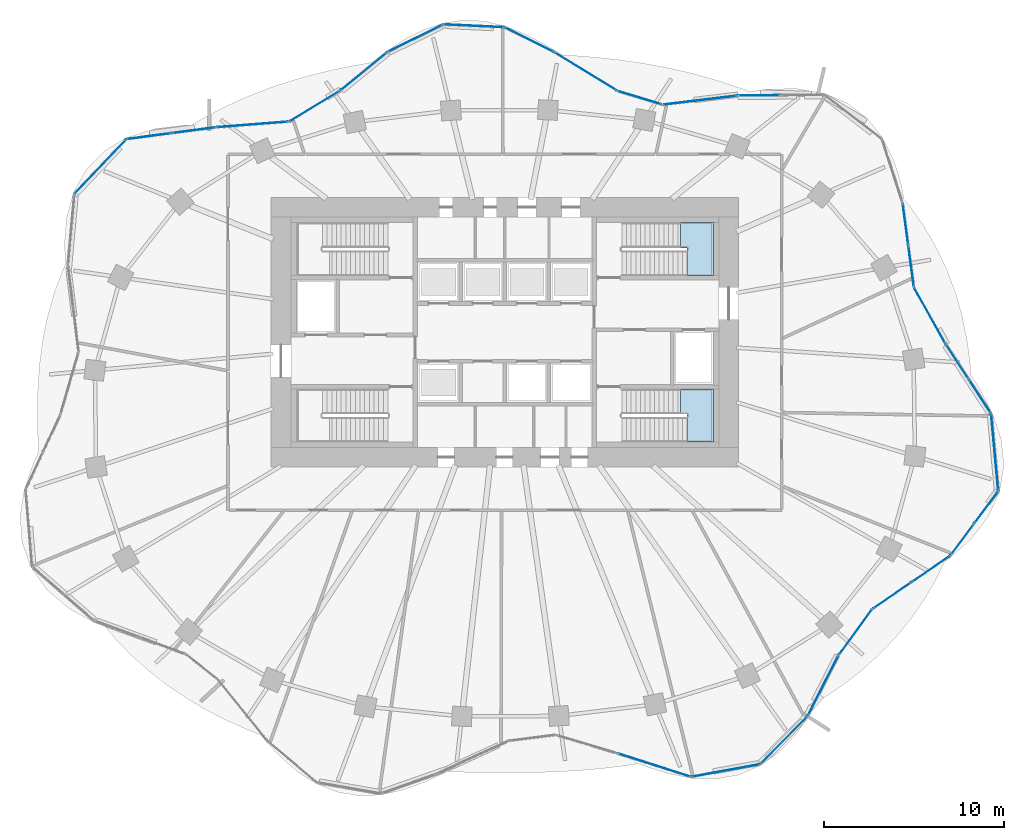
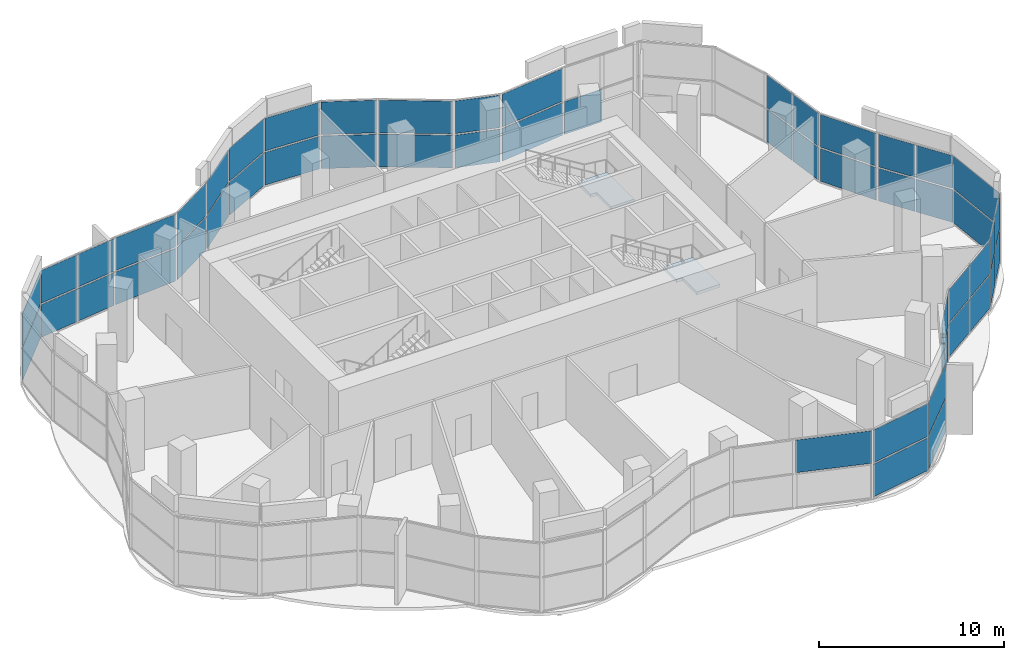
# One storey, part 10 of 16: 54 plates, 2 slabs, 25 elements without a shape of their own.
"""IFC4 building model written with IfcOpenShell, lengths in metres."""

import ifcopenshell
import ifcopenshell.guid

model = None  # the IFC model being written
_history = None  # IfcOwnerHistory: only IFC2X3 demands one
_inside = {}  # id of a spatial element -> (the spatial element, [elements in it])
_under = {}  # id of a project, library or spatial element -> (it, [spatial elements below it])
_declared = {}  # id of a project -> (the project, [libraries it declares])
_typed = {}  # id of a type object -> (the type object, [elements of that type])
_made_of = {}  # id of a material, layer set ... -> (it, [elements and type objects made of it])


def new_model(schema):
    """Start an empty IFC model of exactly this schema.

    Asked for "IFC4X3", IfcOpenShell would pick the latest addendum, in which some entities
    have other attributes; the version numbers below select the first issue.
    IFC2X3 requires an IfcOwnerHistory on every rooted entity: one is made here for all.
    """
    global model, _history
    if schema == "IFC4X3":
        model = ifcopenshell.file(schema_version=(4, 3, 0, 0))
    else:
        model = ifcopenshell.file(schema=schema)
    _inside.clear()
    _under.clear()
    _declared.clear()
    _typed.clear()
    _made_of.clear()
    _history = None
    if model.schema == "IFC2X3":
        org = make("IfcOrganization", Name="unknown")
        user = make(
            "IfcPersonAndOrganization",
            ThePerson=make("IfcPerson", FamilyName="unknown"),
            TheOrganization=org,
        )
        app = make(
            "IfcApplication",
            ApplicationDeveloper=org,
            Version="unknown",
            ApplicationFullName="unknown",
            ApplicationIdentifier="unknown",
        )
        _history = make(
            "IfcOwnerHistory",
            OwningUser=user,
            OwningApplication=app,
            ChangeAction="ADDED",
            CreationDate=0,
        )
    return model


def make(cls, **values):
    """One entity of the class cls with the attributes given. An attribute that is None is left unset."""
    return model.create_entity(
        cls, **{name: value for name, value in values.items() if value is not None}
    )


def rooted(cls, **values):
    """An entity with a GlobalId (a new one), such as an element, a storey or a relation."""
    return make(cls, GlobalId=ifcopenshell.guid.new(), OwnerHistory=_history, **values)


def si_unit(unit_type, name, prefix=None):
    """IfcSIUnit, for example si_unit("LENGTHUNIT", "METRE", prefix="MILLI")."""
    return make("IfcSIUnit", UnitType=unit_type, Prefix=prefix, Name=name)


def assignment(units):
    """IfcUnitAssignment: the units of a project."""
    return None if units is None else make("IfcUnitAssignment", Units=units)


def point(xyz):
    """IfcCartesianPoint."""
    return None if xyz is None else make("IfcCartesianPoint", Coordinates=xyz)


def direction(xyz):
    """IfcDirection."""
    return None if xyz is None else make("IfcDirection", DirectionRatios=xyz)


def frame(location, z_axis=None, x_axis=None):
    """IfcAxis2Placement3D, a coordinate frame: its origin and axes. An axis left out is left unset."""
    return make(
        "IfcAxis2Placement3D",
        Location=point(location),
        Axis=direction(z_axis),
        RefDirection=direction(x_axis),
    )


def frame_2d(location, x_axis=None):
    """IfcAxis2Placement2D, a coordinate frame in the plane: its origin and x axis."""
    return make(
        "IfcAxis2Placement2D", Location=point(location), RefDirection=direction(x_axis)
    )


def origin():
    """The frame at (0, 0, 0) with its axes left unset."""
    return frame((0.0, 0.0, 0.0))


def origin_2d():
    """The frame at (0, 0) in the plane with its x axis left unset."""
    return frame_2d((0.0, 0.0))


def place(relative_to, where):
    """IfcLocalPlacement: puts the frame where relative to a parent placement (None: the world)."""
    return make(
        "IfcLocalPlacement", PlacementRelTo=relative_to, RelativePlacement=where
    )


def context(
    kind, dimensions, precision=None, world=None, true_north=None, identifier=None
):
    """IfcGeometricRepresentationContext, for example the 3D "Model" context."""
    return make(
        "IfcGeometricRepresentationContext",
        ContextIdentifier=identifier,
        ContextType=kind,
        CoordinateSpaceDimension=dimensions,
        Precision=precision,
        WorldCoordinateSystem=world,
        TrueNorth=true_north,
    )


def subcontext(parent, identifier, kind, view, scale=None):
    """IfcGeometricRepresentationSubContext, for example "Body" below "Model"."""
    return make(
        "IfcGeometricRepresentationSubContext",
        ContextIdentifier=identifier,
        ContextType=kind,
        ParentContext=parent,
        TargetScale=scale,
        TargetView=view,
    )


def project(units=None, contexts=None):
    """IfcProject with its units and contexts."""
    return rooted(
        "IfcProject",
        Name="project",
        RepresentationContexts=contexts,
        UnitsInContext=assignment(units),
    )


def spatial(cls, under=None, at=None, **own):
    """A site, building, storey or space (cls), placed at a placement, below another one or the project."""
    s = rooted(cls, ObjectPlacement=at, **own)
    if under is not None:
        _under.setdefault(under.id(), (under, []))[1].append(s)
    return s


def polyline(points):
    """IfcPolyline through the points."""
    return make("IfcPolyline", Points=[point(p) for p in points])


def profile(cls, at=None, kind="AREA", **sizes):
    """A parametric profile (cls). Its sizes go by their IFC names, for example OverallWidth=200.0."""
    return make(cls, ProfileType=kind, Position=at, **sizes)


def rectangle(**sizes):
    """IfcRectangleProfileDef."""
    return profile("IfcRectangleProfileDef", **sizes)


def outline(outer, holes=None, kind="AREA"):
    """IfcArbitraryClosedProfileDef: a profile drawn as a closed curve; with holes, ...WithVoids."""
    if holes is None:
        return make("IfcArbitraryClosedProfileDef", ProfileType=kind, OuterCurve=outer)
    return make(
        "IfcArbitraryProfileDefWithVoids",
        ProfileType=kind,
        OuterCurve=outer,
        InnerCurves=holes,
    )


def extrude(swept, where, along, depth):
    """IfcExtrudedAreaSolid: the profile swept, set in the frame where, extruded along a direction by depth."""
    return make(
        "IfcExtrudedAreaSolid",
        SweptArea=swept,
        Position=where,
        ExtrudedDirection=direction(along),
        Depth=depth,
    )


def shape(context_of_items, identifier, shape_type, items):
    """IfcShapeRepresentation: the items that make up one representation, for example the "Body"."""
    return make(
        "IfcShapeRepresentation",
        ContextOfItems=context_of_items,
        RepresentationIdentifier=identifier,
        RepresentationType=shape_type,
        Items=items,
    )


def material(Name=None, Category=None):
    """IfcMaterial."""
    return make("IfcMaterial", Name=Name, Category=Category)


def layer(
    of_material, thickness, ventilated=None, Name=None, Category=None, Priority=None
):
    """IfcMaterialLayer: one layer of a wall or slab, of a material (None: an air gap)."""
    return make(
        "IfcMaterialLayer",
        Material=of_material,
        LayerThickness=thickness,
        IsVentilated=ventilated,
        Name=Name,
        Category=Category,
        Priority=Priority,
    )


def layer_set(layers, Name=None):
    """IfcMaterialLayerSet."""
    return make("IfcMaterialLayerSet", MaterialLayers=layers, LayerSetName=Name)


def made_of(thing, what):
    """Note that an element or type object is made of a material, layer set ...; save() writes the relation."""
    if what is not None:
        _made_of.setdefault(what.id(), (what, []))[1].append(thing)
    return thing


def type_object(cls, material=None, **own):
    """A type object (cls), such as IfcWallType, which elements share."""
    return made_of(rooted(cls, **own), material)


def element(
    cls,
    number,
    at=None,
    inside=None,
    cuts=None,
    type_object=None,
    material=None,
    context=None,
    identifier="Body",
    shape_type=None,
    held_by="IfcProductDefinitionShape",
    body=None,
    shapes=None,
    **own,
):
    """One element of the class cls, such as IfcWall. Its Tag is "e" and its number.

    at: its placement. inside: the storey or other place that contains it. cuts: it is an
    opening in that element (IfcRelVoidsElement). A single representation is given by context,
    identifier, shape_type and body (its items); several are given by shapes. held_by: the class
    of the entity that holds the representations. save() writes the other relations.
    """
    e = rooted(cls, Tag="e%d" % number, ObjectPlacement=at, **own)
    if body is not None:
        shapes = [shape(context, identifier, shape_type, body)]
    if shapes is not None:
        e.Representation = make(held_by, Representations=shapes)
    if inside is not None:
        _inside.setdefault(inside.id(), (inside, []))[1].append(e)
    if cuts is not None:
        rooted(
            "IfcRelVoidsElement", RelatingBuildingElement=cuts, RelatedOpeningElement=e
        )
    if type_object is not None:
        _typed.setdefault(type_object.id(), (type_object, []))[1].append(e)
    return made_of(e, material)


def aggregate(whole, parts):
    """IfcRelAggregates: a whole, such as a stair, and the parts it consists of."""
    return rooted("IfcRelAggregates", RelatingObject=whole, RelatedObjects=parts)


def save(model, path):
    """Write the relations noted so far, then the file.

    IfcRelAggregates (storeys below a building ...), IfcRelContainedInSpatialStructure (elements
    in a storey), IfcRelDefinesByType, IfcRelAssociatesMaterial and IfcRelDeclares: one each for
    every whole, place, type object, material and project.
    """
    for whole, parts in _under.values():
        aggregate(whole, parts)
    for where, things in _inside.values():
        rooted(
            "IfcRelContainedInSpatialStructure",
            RelatedElements=things,
            RelatingStructure=where,
        )
    for kind, things in _typed.values():
        rooted("IfcRelDefinesByType", RelatedObjects=things, RelatingType=kind)
    for what, things in _made_of.values():
        rooted("IfcRelAssociatesMaterial", RelatedObjects=things, RelatingMaterial=what)
    for by, libraries in _declared.values():
        rooted("IfcRelDeclares", RelatingContext=by, RelatedDefinitions=libraries)
    model.write(path)


model = new_model("IFC4")

# Units and contexts
model_context = context("Model", 3, precision=1e-05, world=origin(), true_north=direction((0.0, 1.0)))
body_context = subcontext(model_context, "Body", "Model", "MODEL_VIEW")
ifc_project = project(units=[si_unit("LENGTHUNIT", "METRE"), si_unit("AREAUNIT", "SQUARE_METRE"), si_unit("VOLUMEUNIT", "CUBIC_METRE"), si_unit("PLANEANGLEUNIT", "RADIAN"), si_unit("MASSUNIT", "GRAM", prefix="KILO")], contexts=[model_context])

# Site, building, storey
site_placement = place(None, origin())
site = spatial("IfcSite", under=ifc_project, at=site_placement, CompositionType="ELEMENT")
building_placement = place(site_placement, origin())
building = spatial("IfcBuilding", under=site, at=building_placement, Name="Rubra Terraces Tower", CompositionType="ELEMENT")
storey_placement = place(building_placement, frame((0.0, 0.0, 125.699951171875)))
storey = spatial("IfcBuildingStorey", under=building, at=storey_placement, Name="L30", CompositionType="ELEMENT", Elevation=125.699951171875)

# Stair, slab
ifc_material_1 = material(Name="Concrete C40", Category="concrete")
stair_type = type_object("IfcStairType", Name="Core stair 1400", PredefinedType="HALF_TURN_STAIR", material=ifc_material_1)
stair_1_placement = place(storey_placement, origin())
stair_1 = element("IfcStair", 1, at=stair_1_placement, inside=storey, type_object=stair_type, Name="L30 Exit stair S3", PredefinedType="HALF_TURN_STAIR")
ifc_layer_1 = layer(ifc_material_1, 0.199951171875)
ifc_layer_set_1 = layer_set([ifc_layer_1], Name="Concrete C40")
slab_type = type_object("IfcSlabType", Name="Core stair landing 200", PredefinedType="LANDING", material=ifc_layer_set_1)
slab_1_placement = place(storey_placement, frame((0.0, 0.0, 2.199951171875)))
slab_1 = element("IfcSlab", 2, at=slab_1_placement, type_object=slab_type, Name="S3 landing 1", PredefinedType="LANDING", context=body_context, shape_type="SweptSolid", body=[
    extrude(outline(polyline([(10.139892578125, 9.050048828125), (10.139892578125, 9.199951171875), (9.760009765625, 9.199951171875), (9.760009765625, 10.60009765625), (10.139892578125, 10.60009765625), (10.159912109375, 10.60009765625), (11.60009765625, 10.60009765625), (11.60009765625, 7.64990234375), (10.159912109375, 7.64990234375), (10.137939453125, 7.64990234375), (10.137939453125, 9.050048828125), (10.139892578125, 9.050048828125)])), origin(), (0.0, 0.0, 1.0), 0.2001953125),
])
aggregate(stair_1, [slab_1])

stair_2_placement = place(storey_placement, origin())
stair_2 = element("IfcStair", 3, at=stair_2_placement, inside=storey, type_object=stair_type, Name="L30 Exit stair S4", PredefinedType="HALF_TURN_STAIR")
slab_2_placement = place(storey_placement, frame((0.0, 0.0, 2.199951171875)))
slab_2 = element("IfcSlab", 4, at=slab_2_placement, type_object=slab_type, Name="S4 landing 1", PredefinedType="LANDING", context=body_context, shape_type="SweptSolid", body=[
    extrude(outline(polyline([(10.139892578125, -0.199951171875), (10.139892578125, -0.050048828125), (9.760009765625, -0.050048828125), (9.760009765625, 1.35009765625), (10.139892578125, 1.35009765625), (10.159912109375, 1.35009765625), (11.60009765625, 1.35009765625), (11.60009765625, -1.60009765625), (10.159912109375, -1.60009765625), (10.139892578125, -1.60009765625), (10.137939453125, -1.60009765625), (10.137939453125, -0.199951171875), (10.139892578125, -0.199951171875)])), origin(), (0.0, 0.0, 1.0), 0.2001953125),
])
aggregate(stair_2, [slab_2])

# Curtain wall, plates
ifc_material_2 = material(Name="Aluminium and glass", Category="aluminium")
curtain_wall_type = type_object("IfcCurtainWallType", Name="Curtain wall Sky lobby glazing", PredefinedType="NOTDEFINED", material=ifc_material_2)
curtain_wall_1_placement = place(storey_placement, origin())
curtain_wall_1 = element("IfcCurtainWall", 5, at=curtain_wall_1_placement, inside=storey, type_object=curtain_wall_type, Name="L30 glazing bay 1", PredefinedType="NOTDEFINED")
ifc_material_3 = material(Name="Clear glass, laminated", Category="glass")
ifc_layer_2 = layer(ifc_material_3, 0.031982421875)
ifc_layer_set_2 = layer_set([ifc_layer_2], Name="Clear glass, laminated")
plate_type = type_object("IfcPlateType", Name="Sky lobby glazing glass panel 32", PredefinedType="CURTAIN_PANEL", material=ifc_layer_set_2)
plate_1_placement = place(storey_placement, frame((26.4140625, 0.938720703125, 0.10009765625), z_axis=(0.0, 0.0, 1.0), x_axis=(-0.547047377595, 0.837101646556, 0.0)))
plate_1 = element("IfcPlate", 6, at=plate_1_placement, type_object=plate_type, Name="CW2 panel 1.1", PredefinedType="CURTAIN_PANEL", context=body_context, shape_type="SweptSolid", body=[
    extrude(rectangle(XDim=2.2177734375, YDim=0.028076171875, at=origin_2d()), origin(), (0.0, 0.0, 1.0), 2.14990234375),
])
plate_2_placement = place(storey_placement, frame((26.4140625, 0.938720703125, 2.35009765625), z_axis=(0.0, 0.0, 1.0), x_axis=(-0.547047377595, 0.837101646556, 0.0)))
plate_2 = element("IfcPlate", 7, at=plate_2_placement, type_object=plate_type, Name="CW2 panel 1.2", PredefinedType="CURTAIN_PANEL", context=body_context, shape_type="SweptSolid", body=[
    extrude(rectangle(XDim=2.2177734375, YDim=0.028076171875, at=origin_2d()), origin(), (0.0, 0.0, 1.0), 2.14990234375),
])
plate_3_placement = place(storey_placement, frame((25.16796875, 2.845703125, 0.10009765625), z_axis=(0.0, 0.0, 1.0), x_axis=(-0.547047377595, 0.837101646556, 0.0)))
plate_3 = element("IfcPlate", 8, at=plate_3_placement, type_object=plate_type, Name="CW2 panel 2.1", PredefinedType="CURTAIN_PANEL", context=body_context, shape_type="SweptSolid", body=[
    extrude(rectangle(XDim=2.2177734375, YDim=0.028076171875, at=origin_2d()), origin(), (0.0, 0.0, 1.0), 2.14990234375),
])
plate_4_placement = place(storey_placement, frame((25.16796875, 2.845703125, 2.35009765625), z_axis=(0.0, 0.0, 1.0), x_axis=(-0.547047377595, 0.837101646556, 0.0)))
plate_4 = element("IfcPlate", 9, at=plate_4_placement, type_object=plate_type, Name="CW2 panel 2.2", PredefinedType="CURTAIN_PANEL", context=body_context, shape_type="SweptSolid", body=[
    extrude(rectangle(XDim=2.2177734375, YDim=0.028076171875, at=origin_2d()), origin(), (0.0, 0.0, 1.0), 2.14990234375),
])
aggregate(curtain_wall_1, [plate_1, plate_2, plate_3, plate_4])

curtain_wall_2_placement = place(storey_placement, origin())
curtain_wall_2 = element("IfcCurtainWall", 10, at=curtain_wall_2_placement, inside=storey, type_object=curtain_wall_type, Name="L30 glazing bay 2", PredefinedType="NOTDEFINED")
plate_5_placement = place(storey_placement, frame((23.64111328125, 5.40966796875, 0.10009765625), z_axis=(0.0, 0.0, 1.0), x_axis=(-0.488312509266, 0.87266883369, 0.0)))
plate_5 = element("IfcPlate", 11, at=plate_5_placement, type_object=plate_type, Name="CW2 panel 1.1", PredefinedType="CURTAIN_PANEL", context=body_context, shape_type="SweptSolid", body=[
    extrude(rectangle(XDim=3.502685546875, YDim=0.028076171875, at=origin_2d()), origin(), (0.0, 0.0, 1.0), 2.14990234375),
])
plate_6_placement = place(storey_placement, frame((23.64111328125, 5.40966796875, 2.35009765625), z_axis=(0.0, 0.0, 1.0), x_axis=(-0.488312509266, 0.87266883369, 0.0)))
plate_6 = element("IfcPlate", 12, at=plate_6_placement, type_object=plate_type, Name="CW2 panel 1.2", PredefinedType="CURTAIN_PANEL", context=body_context, shape_type="SweptSolid", body=[
    extrude(rectangle(XDim=3.502685546875, YDim=0.028076171875, at=origin_2d()), origin(), (0.0, 0.0, 1.0), 2.14990234375),
])
aggregate(curtain_wall_2, [plate_5, plate_6])

curtain_wall_3_placement = place(storey_placement, origin())
curtain_wall_3 = element("IfcCurtainWall", 13, at=curtain_wall_3_placement, inside=storey, type_object=curtain_wall_type, Name="L30 glazing bay 3", PredefinedType="NOTDEFINED")
plate_7_placement = place(storey_placement, frame((22.5908203125, 8.1943359375, 0.10009765625), z_axis=(0.0, 0.0, 1.0), x_axis=(-0.132608399218, 0.991168508608, 0.0)))
plate_7 = element("IfcPlate", 14, at=plate_7_placement, type_object=plate_type, Name="CW2 panel 1.1", PredefinedType="CURTAIN_PANEL", context=body_context, shape_type="SweptSolid", body=[
    extrude(rectangle(XDim=2.25927734375, YDim=0.028076171875, at=origin_2d()), origin(), (0.0, 0.0, 1.0), 2.14990234375),
])
plate_8_placement = place(storey_placement, frame((22.5908203125, 8.1943359375, 2.35009765625), z_axis=(0.0, 0.0, 1.0), x_axis=(-0.132608399218, 0.991168508608, 0.0)))
plate_8 = element("IfcPlate", 15, at=plate_8_placement, type_object=plate_type, Name="CW2 panel 1.2", PredefinedType="CURTAIN_PANEL", context=body_context, shape_type="SweptSolid", body=[
    extrude(rectangle(XDim=2.25927734375, YDim=0.028076171875, at=origin_2d()), origin(), (0.0, 0.0, 1.0), 2.14990234375),
])
plate_9_placement = place(storey_placement, frame((22.283203125, 10.493408203125, 0.10009765625), z_axis=(0.0, 0.0, 1.0), x_axis=(-0.132608399218, 0.991168508608, 0.0)))
plate_9 = element("IfcPlate", 16, at=plate_9_placement, type_object=plate_type, Name="CW2 panel 2.1", PredefinedType="CURTAIN_PANEL", context=body_context, shape_type="SweptSolid", body=[
    extrude(rectangle(XDim=2.25927734375, YDim=0.028076171875, at=origin_2d()), origin(), (0.0, 0.0, 1.0), 2.14990234375),
])
plate_10_placement = place(storey_placement, frame((22.283203125, 10.493408203125, 2.35009765625), z_axis=(0.0, 0.0, 1.0), x_axis=(-0.132608399218, 0.991168508608, 0.0)))
plate_10 = element("IfcPlate", 17, at=plate_10_placement, type_object=plate_type, Name="CW2 panel 2.2", PredefinedType="CURTAIN_PANEL", context=body_context, shape_type="SweptSolid", body=[
    extrude(rectangle(XDim=2.25927734375, YDim=0.028076171875, at=origin_2d()), origin(), (0.0, 0.0, 1.0), 2.14990234375),
])
aggregate(curtain_wall_3, [plate_7, plate_8, plate_9, plate_10])

# Curtain wall, plate
curtain_wall_4_placement = place(storey_placement, origin())
curtain_wall_4 = element("IfcCurtainWall", 18, at=curtain_wall_4_placement, inside=storey, type_object=curtain_wall_type, Name="L30 glazing bay 6", PredefinedType="NOTDEFINED")
plate_11_placement = place(storey_placement, frame((14.166259765625, 17.67578125, 0.10009765625), z_axis=(0.0, 0.0, 1.0), x_axis=(-0.99995015627, -0.0099842364, 0.0)))
plate_11 = element("IfcPlate", 19, at=plate_11_placement, type_object=plate_type, Name="CW2 panel 2.1", PredefinedType="CURTAIN_PANEL", context=body_context, shape_type="SweptSolid", body=[
    extrude(rectangle(XDim=2.333740234375, YDim=0.028076171875, at=origin_2d()), origin(), (0.0, 0.0, 1.0), 2.14990234375),
])
aggregate(curtain_wall_4, [plate_11])

# Curtain wall, plates
curtain_wall_5_placement = place(storey_placement, origin())
curtain_wall_5 = element("IfcCurtainWall", 20, at=curtain_wall_5_placement, inside=storey, type_object=curtain_wall_type, Name="L30 glazing bay 7", PredefinedType="NOTDEFINED")
plate_12_placement = place(storey_placement, frame((10.86962890625, 17.41064453125, 0.10009765625), z_axis=(0.0, 0.0, 1.0), x_axis=(-0.992649587199, -0.121023952312, 0.0)))
plate_12 = element("IfcPlate", 21, at=plate_12_placement, type_object=plate_type, Name="CW2 panel 1.1", PredefinedType="CURTAIN_PANEL", context=body_context, shape_type="SweptSolid", body=[
    extrude(rectangle(XDim=4.06689453125, YDim=0.028076171875, at=origin_2d()), origin(), (0.0, 0.0, 1.0), 2.14990234375),
])
plate_13_placement = place(storey_placement, frame((10.86962890625, 17.41064453125, 2.35009765625), z_axis=(0.0, 0.0, 1.0), x_axis=(-0.992649587199, -0.121023952312, 0.0)))
plate_13 = element("IfcPlate", 22, at=plate_13_placement, type_object=plate_type, Name="CW2 panel 1.2", PredefinedType="CURTAIN_PANEL", context=body_context, shape_type="SweptSolid", body=[
    extrude(rectangle(XDim=4.06689453125, YDim=0.028076171875, at=origin_2d()), origin(), (0.0, 0.0, 1.0), 2.14990234375),
])
aggregate(curtain_wall_5, [plate_12, plate_13])

curtain_wall_6_placement = place(storey_placement, origin())
curtain_wall_6 = element("IfcCurtainWall", 23, at=curtain_wall_6_placement, inside=storey, type_object=curtain_wall_type, Name="L30 glazing bay 8", PredefinedType="NOTDEFINED")
plate_14_placement = place(storey_placement, frame((7.517333984375, 17.5390625, 0.10009765625), z_axis=(0.0, 0.0, 1.0), x_axis=(-0.956654793713, 0.291224321899, 0.0)))
plate_14 = element("IfcPlate", 24, at=plate_14_placement, type_object=plate_type, Name="CW2 panel 1.1", PredefinedType="CURTAIN_PANEL", context=body_context, shape_type="SweptSolid", body=[
    extrude(rectangle(XDim=2.481689453125, YDim=0.028076171875, at=origin_2d()), origin(), (0.0, 0.0, 1.0), 2.14990234375),
])
plate_15_placement = place(storey_placement, frame((7.517333984375, 17.5390625, 2.35009765625), z_axis=(0.0, 0.0, 1.0), x_axis=(-0.956654793713, 0.291224321899, 0.0)))
plate_15 = element("IfcPlate", 25, at=plate_15_placement, type_object=plate_type, Name="CW2 panel 1.2", PredefinedType="CURTAIN_PANEL", context=body_context, shape_type="SweptSolid", body=[
    extrude(rectangle(XDim=2.481689453125, YDim=0.028076171875, at=origin_2d()), origin(), (0.0, 0.0, 1.0), 2.14990234375),
])
aggregate(curtain_wall_6, [plate_14, plate_15])

curtain_wall_7_placement = place(storey_placement, origin())
curtain_wall_7 = element("IfcCurtainWall", 26, at=curtain_wall_7_placement, inside=storey, type_object=curtain_wall_type, Name="L30 glazing bay 9", PredefinedType="NOTDEFINED")
plate_16_placement = place(storey_placement, frame((4.50146484375, 18.9990234375, 0.10009765625), z_axis=(0.0, 0.0, 1.0), x_axis=(-0.852926426225, 0.522031140305, 0.0)))
plate_16 = element("IfcPlate", 27, at=plate_16_placement, type_object=plate_type, Name="CW2 panel 1.1", PredefinedType="CURTAIN_PANEL", context=body_context, shape_type="SweptSolid", body=[
    extrude(rectangle(XDim=3.99267578125, YDim=0.028076171875, at=origin_2d()), origin(), (0.0, 0.0, 1.0), 2.14990234375),
])
plate_17_placement = place(storey_placement, frame((4.50146484375, 18.9990234375, 2.35009765625), z_axis=(0.0, 0.0, 1.0), x_axis=(-0.852926426225, 0.522031140305, 0.0)))
plate_17 = element("IfcPlate", 28, at=plate_17_placement, type_object=plate_type, Name="CW2 panel 1.2", PredefinedType="CURTAIN_PANEL", context=body_context, shape_type="SweptSolid", body=[
    extrude(rectangle(XDim=3.99267578125, YDim=0.028076171875, at=origin_2d()), origin(), (0.0, 0.0, 1.0), 2.14990234375),
])
aggregate(curtain_wall_7, [plate_16, plate_17])

curtain_wall_8_placement = place(storey_placement, origin())
curtain_wall_8 = element("IfcCurtainWall", 29, at=curtain_wall_8_placement, inside=storey, type_object=curtain_wall_type, Name="L30 glazing bay 10", PredefinedType="NOTDEFINED")
plate_18_placement = place(storey_placement, frame((1.359619140625, 20.769775390625, 0.10009765625), z_axis=(0.0, 0.0, 1.0), x_axis=(-0.893521164442, 0.44902107823, 0.0)))
plate_18 = element("IfcPlate", 30, at=plate_18_placement, type_object=plate_type, Name="CW2 panel 1.1", PredefinedType="CURTAIN_PANEL", context=body_context, shape_type="SweptSolid", body=[
    extrude(rectangle(XDim=2.998779296875, YDim=0.028076171875, at=origin_2d()), origin(), (0.0, 0.0, 1.0), 2.14990234375),
])
plate_19_placement = place(storey_placement, frame((1.359619140625, 20.769775390625, 2.35009765625), z_axis=(0.0, 0.0, 1.0), x_axis=(-0.893521164442, 0.44902107823, 0.0)))
plate_19 = element("IfcPlate", 31, at=plate_19_placement, type_object=plate_type, Name="CW2 panel 1.2", PredefinedType="CURTAIN_PANEL", context=body_context, shape_type="SweptSolid", body=[
    extrude(rectangle(XDim=2.998779296875, YDim=0.028076171875, at=origin_2d()), origin(), (0.0, 0.0, 1.0), 2.14990234375),
])
aggregate(curtain_wall_8, [plate_18, plate_19])

curtain_wall_9_placement = place(storey_placement, origin())
curtain_wall_9 = element("IfcCurtainWall", 32, at=curtain_wall_9_placement, inside=storey, type_object=curtain_wall_type, Name="L30 glazing bay 11", PredefinedType="NOTDEFINED")
plate_20_placement = place(storey_placement, frame((-1.721923828125, 21.54248046875, 0.10009765625), z_axis=(0.0, 0.0, 1.0), x_axis=(-0.998904660659, 0.046791868023, 0.0)))
plate_20 = element("IfcPlate", 33, at=plate_20_placement, type_object=plate_type, Name="CW2 panel 1.1", PredefinedType="CURTAIN_PANEL", context=body_context, shape_type="SweptSolid", body=[
    extrude(rectangle(XDim=3.32080078125, YDim=0.028076171875, at=origin_2d()), origin(), (0.0, 0.0, 1.0), 2.14990234375),
])
plate_21_placement = place(storey_placement, frame((-1.721923828125, 21.54248046875, 2.35009765625), z_axis=(0.0, 0.0, 1.0), x_axis=(-0.998904660659, 0.046791868023, 0.0)))
plate_21 = element("IfcPlate", 34, at=plate_21_placement, type_object=plate_type, Name="CW2 panel 1.2", PredefinedType="CURTAIN_PANEL", context=body_context, shape_type="SweptSolid", body=[
    extrude(rectangle(XDim=3.32080078125, YDim=0.028076171875, at=origin_2d()), origin(), (0.0, 0.0, 1.0), 2.14990234375),
])
aggregate(curtain_wall_9, [plate_20, plate_21])

curtain_wall_10_placement = place(storey_placement, origin())
curtain_wall_10 = element("IfcCurtainWall", 35, at=curtain_wall_10_placement, inside=storey, type_object=curtain_wall_type, Name="L30 glazing bay 12", PredefinedType="NOTDEFINED")
plate_22_placement = place(storey_placement, frame((-4.960205078125, 20.86181640625, 0.10009765625), z_axis=(0.0, 0.0, 1.0), x_axis=(-0.896548244685, -0.442946097117, 0.0)))
plate_22 = element("IfcPlate", 36, at=plate_22_placement, type_object=plate_type, Name="CW2 panel 1.1", PredefinedType="CURTAIN_PANEL", context=body_context, shape_type="SweptSolid", body=[
    extrude(rectangle(XDim=3.352294921875, YDim=0.028076171875, at=origin_2d()), origin(), (0.0, 0.0, 1.0), 2.14990234375),
])
plate_23_placement = place(storey_placement, frame((-4.960205078125, 20.86181640625, 2.35009765625), z_axis=(0.0, 0.0, 1.0), x_axis=(-0.896548244685, -0.442946097117, 0.0)))
plate_23 = element("IfcPlate", 37, at=plate_23_placement, type_object=plate_type, Name="CW2 panel 1.2", PredefinedType="CURTAIN_PANEL", context=body_context, shape_type="SweptSolid", body=[
    extrude(rectangle(XDim=3.352294921875, YDim=0.028076171875, at=origin_2d()), origin(), (0.0, 0.0, 1.0), 2.14990234375),
])
aggregate(curtain_wall_10, [plate_22, plate_23])

curtain_wall_11_placement = place(storey_placement, origin())
curtain_wall_11 = element("IfcCurtainWall", 38, at=curtain_wall_11_placement, inside=storey, type_object=curtain_wall_type, Name="L30 glazing bay 13", PredefinedType="NOTDEFINED")
plate_24_placement = place(storey_placement, frame((-7.816650390625, 19.029541015625, 0.10009765625), z_axis=(0.0, 0.0, 1.0), x_axis=(-0.774813676974, -0.632189659813, 0.0)))
plate_24 = element("IfcPlate", 39, at=plate_24_placement, type_object=plate_type, Name="CW2 panel 1.1", PredefinedType="CURTAIN_PANEL", context=body_context, shape_type="SweptSolid", body=[
    extrude(rectangle(XDim=3.269287109375, YDim=0.028076171875, at=origin_2d()), origin(), (0.0, 0.0, 1.0), 2.14990234375),
])
plate_25_placement = place(storey_placement, frame((-7.816650390625, 19.029541015625, 2.35009765625), z_axis=(0.0, 0.0, 1.0), x_axis=(-0.774813676974, -0.632189659813, 0.0)))
plate_25 = element("IfcPlate", 40, at=plate_25_placement, type_object=plate_type, Name="CW2 panel 1.2", PredefinedType="CURTAIN_PANEL", context=body_context, shape_type="SweptSolid", body=[
    extrude(rectangle(XDim=3.269287109375, YDim=0.028076171875, at=origin_2d()), origin(), (0.0, 0.0, 1.0), 2.14990234375),
])
aggregate(curtain_wall_11, [plate_24, plate_25])

curtain_wall_12_placement = place(storey_placement, origin())
curtain_wall_12 = element("IfcCurtainWall", 41, at=curtain_wall_12_placement, inside=storey, type_object=curtain_wall_type, Name="L30 glazing bay 14", PredefinedType="NOTDEFINED")
plate_26_placement = place(storey_placement, frame((-10.55908203125, 17.08935546875, 0.10009765625), z_axis=(0.0, 0.0, 1.0), x_axis=(-0.854624016653, -0.519247330431, 0.0)))
plate_26 = element("IfcPlate", 42, at=plate_26_placement, type_object=plate_type, Name="CW2 panel 1.1", PredefinedType="CURTAIN_PANEL", context=body_context, shape_type="SweptSolid", body=[
    extrude(rectangle(XDim=3.20458984375, YDim=0.028076171875, at=origin_2d()), origin(), (0.0, 0.0, 1.0), 2.14990234375),
])
plate_27_placement = place(storey_placement, frame((-10.55908203125, 17.08935546875, 2.35009765625), z_axis=(0.0, 0.0, 1.0), x_axis=(-0.854624016653, -0.519247330431, 0.0)))
plate_27 = element("IfcPlate", 43, at=plate_27_placement, type_object=plate_type, Name="CW2 panel 1.2", PredefinedType="CURTAIN_PANEL", context=body_context, shape_type="SweptSolid", body=[
    extrude(rectangle(XDim=3.20458984375, YDim=0.028076171875, at=origin_2d()), origin(), (0.0, 0.0, 1.0), 2.14990234375),
])
aggregate(curtain_wall_12, [plate_26, plate_27])

curtain_wall_13_placement = place(storey_placement, origin())
curtain_wall_13 = element("IfcCurtainWall", 44, at=curtain_wall_13_placement, inside=storey, type_object=curtain_wall_type, Name="L30 glazing bay 15", PredefinedType="NOTDEFINED")
plate_28_placement = place(storey_placement, frame((-14.027587890625, 16.058837890625, 0.10009765625), z_axis=(0.0, 0.0, 1.0), x_axis=(-0.99696678607, -0.077828192026, 0.0)))
plate_28 = element("IfcPlate", 45, at=plate_28_placement, type_object=plate_type, Name="CW2 panel 1.1", PredefinedType="CURTAIN_PANEL", context=body_context, shape_type="SweptSolid", body=[
    extrude(rectangle(XDim=3.927490234375, YDim=0.028076171875, at=origin_2d()), origin(), (0.0, 0.0, 1.0), 2.14990234375),
])
plate_29_placement = place(storey_placement, frame((-14.027587890625, 16.058837890625, 2.35009765625), z_axis=(0.0, 0.0, 1.0), x_axis=(-0.99696678607, -0.077828192026, 0.0)))
plate_29 = element("IfcPlate", 46, at=plate_29_placement, type_object=plate_type, Name="CW2 panel 1.2", PredefinedType="CURTAIN_PANEL", context=body_context, shape_type="SweptSolid", body=[
    extrude(rectangle(XDim=3.927490234375, YDim=0.028076171875, at=origin_2d()), origin(), (0.0, 0.0, 1.0), 2.14990234375),
])
aggregate(curtain_wall_13, [plate_28, plate_29])

curtain_wall_14_placement = place(storey_placement, origin())
curtain_wall_14 = element("IfcCurtainWall", 47, at=curtain_wall_14_placement, inside=storey, type_object=curtain_wall_type, Name="L30 glazing bay 16", PredefinedType="NOTDEFINED")
plate_30_placement = place(storey_placement, frame((-17.3125, 15.734130859375, 0.10009765625), z_axis=(0.0, 0.0, 1.0), x_axis=(-0.991408430686, -0.130802612988, 0.0)))
plate_30 = element("IfcPlate", 48, at=plate_30_placement, type_object=plate_type, Name="CW2 panel 1.1", PredefinedType="CURTAIN_PANEL", context=body_context, shape_type="SweptSolid", body=[
    extrude(rectangle(XDim=2.444091796875, YDim=0.028076171875, at=origin_2d()), origin(), (0.0, 0.0, 1.0), 2.14990234375),
])
plate_31_placement = place(storey_placement, frame((-17.3125, 15.734130859375, 2.35009765625), z_axis=(0.0, 0.0, 1.0), x_axis=(-0.991408430686, -0.130802612988, 0.0)))
plate_31 = element("IfcPlate", 49, at=plate_31_placement, type_object=plate_type, Name="CW2 panel 1.2", PredefinedType="CURTAIN_PANEL", context=body_context, shape_type="SweptSolid", body=[
    extrude(rectangle(XDim=2.444091796875, YDim=0.028076171875, at=origin_2d()), origin(), (0.0, 0.0, 1.0), 2.14990234375),
])
plate_32_placement = place(storey_placement, frame((-19.794921875, 15.406494140625, 0.10009765625), z_axis=(0.0, 0.0, 1.0), x_axis=(-0.991408430686, -0.130802612988, 0.0)))
plate_32 = element("IfcPlate", 50, at=plate_32_placement, type_object=plate_type, Name="CW2 panel 2.1", PredefinedType="CURTAIN_PANEL", context=body_context, shape_type="SweptSolid", body=[
    extrude(rectangle(XDim=2.444091796875, YDim=0.028076171875, at=origin_2d()), origin(), (0.0, 0.0, 1.0), 2.14990234375),
])
plate_33_placement = place(storey_placement, frame((-19.794921875, 15.406494140625, 2.35009765625), z_axis=(0.0, 0.0, 1.0), x_axis=(-0.991408430686, -0.130802612988, 0.0)))
plate_33 = element("IfcPlate", 51, at=plate_33_placement, type_object=plate_type, Name="CW2 panel 2.2", PredefinedType="CURTAIN_PANEL", context=body_context, shape_type="SweptSolid", body=[
    extrude(rectangle(XDim=2.444091796875, YDim=0.028076171875, at=origin_2d()), origin(), (0.0, 0.0, 1.0), 2.14990234375),
])
aggregate(curtain_wall_14, [plate_30, plate_31, plate_32, plate_33])

curtain_wall_15_placement = place(storey_placement, origin())
curtain_wall_15 = element("IfcCurtainWall", 52, at=curtain_wall_15_placement, inside=storey, type_object=curtain_wall_type, Name="L30 glazing bay 17", PredefinedType="NOTDEFINED")
plate_34_placement = place(storey_placement, frame((-22.490234375, 13.72216796875, 0.10009765625), z_axis=(0.0, 0.0, 1.0), x_axis=(-0.69009538231, -0.723718428199, 0.0)))
plate_34 = element("IfcPlate", 53, at=plate_34_placement, type_object=plate_type, Name="CW2 panel 1.1", PredefinedType="CURTAIN_PANEL", context=body_context, shape_type="SweptSolid", body=[
    extrude(rectangle(XDim=4.133056640625, YDim=0.028076171875, at=origin_2d()), origin(), (0.0, 0.0, 1.0), 2.14990234375),
])
plate_35_placement = place(storey_placement, frame((-22.490234375, 13.72216796875, 2.35009765625), z_axis=(0.0, 0.0, 1.0), x_axis=(-0.69009538231, -0.723718428199, 0.0)))
plate_35 = element("IfcPlate", 54, at=plate_35_placement, type_object=plate_type, Name="CW2 panel 1.2", PredefinedType="CURTAIN_PANEL", context=body_context, shape_type="SweptSolid", body=[
    extrude(rectangle(XDim=4.133056640625, YDim=0.028076171875, at=origin_2d()), origin(), (0.0, 0.0, 1.0), 2.14990234375),
])
aggregate(curtain_wall_15, [plate_34, plate_35])

# Curtain wall, plate
curtain_wall_16_placement = place(storey_placement, origin())
curtain_wall_16 = element("IfcCurtainWall", 55, at=curtain_wall_16_placement, inside=storey, type_object=curtain_wall_type, Name="L30 glazing bay 33", PredefinedType="NOTDEFINED")
plate_36_placement = place(storey_placement, frame((8.293701171875, -19.566650390625, 2.35009765625), z_axis=(0.0, 0.0, 1.0), x_axis=(0.952262688935, -0.305279824524, 0.0)))
plate_36 = element("IfcPlate", 56, at=plate_36_placement, type_object=plate_type, Name="CW2 panel 1.2", PredefinedType="CURTAIN_PANEL", context=body_context, shape_type="SweptSolid", body=[
    extrude(rectangle(XDim=4.234375, YDim=0.028076171875, at=origin_2d()), origin(), (0.0, 0.0, 1.0), 2.14990234375),
])
aggregate(curtain_wall_16, [plate_36])

# Curtain wall, plates
curtain_wall_17_placement = place(storey_placement, origin())
curtain_wall_17 = element("IfcCurtainWall", 57, at=curtain_wall_17_placement, inside=storey, type_object=curtain_wall_type, Name="L30 glazing bay 34", PredefinedType="NOTDEFINED")
plate_37_placement = place(storey_placement, frame((12.27587890625, -19.873291015625, 0.10009765625), z_axis=(0.0, 0.0, 1.0), x_axis=(0.983650643114, 0.180087235256, 0.0)))
plate_37 = element("IfcPlate", 58, at=plate_37_placement, type_object=plate_type, Name="CW2 panel 1.1", PredefinedType="CURTAIN_PANEL", context=body_context, shape_type="SweptSolid", body=[
    extrude(rectangle(XDim=3.833740234375, YDim=0.028076171875, at=origin_2d()), origin(), (0.0, 0.0, 1.0), 2.14990234375),
])
plate_38_placement = place(storey_placement, frame((12.27587890625, -19.873291015625, 2.35009765625), z_axis=(0.0, 0.0, 1.0), x_axis=(0.983650643114, 0.180087235256, 0.0)))
plate_38 = element("IfcPlate", 59, at=plate_38_placement, type_object=plate_type, Name="CW2 panel 1.2", PredefinedType="CURTAIN_PANEL", context=body_context, shape_type="SweptSolid", body=[
    extrude(rectangle(XDim=3.833740234375, YDim=0.028076171875, at=origin_2d()), origin(), (0.0, 0.0, 1.0), 2.14990234375),
])
aggregate(curtain_wall_17, [plate_37, plate_38])

curtain_wall_18_placement = place(storey_placement, origin())
curtain_wall_18 = element("IfcCurtainWall", 60, at=curtain_wall_18_placement, inside=storey, type_object=curtain_wall_type, Name="L30 glazing bay 35", PredefinedType="NOTDEFINED")
plate_39_placement = place(storey_placement, frame((15.510986328125, -18.190185546875, 0.10009765625), z_axis=(0.0, 0.0, 1.0), x_axis=(0.702471900738, 0.711711478531, 0.0)))
plate_39 = element("IfcPlate", 61, at=plate_39_placement, type_object=plate_type, Name="CW2 panel 1.1", PredefinedType="CURTAIN_PANEL", context=body_context, shape_type="SweptSolid", body=[
    extrude(rectangle(XDim=3.66796875, YDim=0.028076171875, at=origin_2d()), origin(), (0.0, 0.0, 1.0), 2.14990234375),
])
plate_40_placement = place(storey_placement, frame((15.510986328125, -18.190185546875, 2.35009765625), z_axis=(0.0, 0.0, 1.0), x_axis=(0.702471900738, 0.711711478531, 0.0)))
plate_40 = element("IfcPlate", 62, at=plate_40_placement, type_object=plate_type, Name="CW2 panel 1.2", PredefinedType="CURTAIN_PANEL", context=body_context, shape_type="SweptSolid", body=[
    extrude(rectangle(XDim=3.66796875, YDim=0.028076171875, at=origin_2d()), origin(), (0.0, 0.0, 1.0), 2.14990234375),
])
aggregate(curtain_wall_18, [plate_39, plate_40])

curtain_wall_19_placement = place(storey_placement, origin())
curtain_wall_19 = element("IfcCurtainWall", 63, at=curtain_wall_19_placement, inside=storey, type_object=curtain_wall_type, Name="L30 glazing bay 36", PredefinedType="NOTDEFINED")
plate_41_placement = place(storey_placement, frame((17.6875, -15.17138671875, 0.10009765625), z_axis=(0.0, 0.0, 1.0), x_axis=(0.453349069403, 0.891333058554, 0.0)))
plate_41 = element("IfcPlate", 64, at=plate_41_placement, type_object=plate_type, Name="CW2 panel 1.1", PredefinedType="CURTAIN_PANEL", context=body_context, shape_type="SweptSolid", body=[
    extrude(rectangle(XDim=3.667724609375, YDim=0.028076171875, at=origin_2d()), origin(), (0.0, 0.0, 1.0), 2.14990234375),
])
plate_42_placement = place(storey_placement, frame((17.6875, -15.17138671875, 2.35009765625), z_axis=(0.0, 0.0, 1.0), x_axis=(0.453349069403, 0.891333058554, 0.0)))
plate_42 = element("IfcPlate", 65, at=plate_42_placement, type_object=plate_type, Name="CW2 panel 1.2", PredefinedType="CURTAIN_PANEL", context=body_context, shape_type="SweptSolid", body=[
    extrude(rectangle(XDim=3.667724609375, YDim=0.028076171875, at=origin_2d()), origin(), (0.0, 0.0, 1.0), 2.14990234375),
])
aggregate(curtain_wall_19, [plate_41, plate_42])

curtain_wall_20_placement = place(storey_placement, origin())
curtain_wall_20 = element("IfcCurtainWall", 66, at=curtain_wall_20_placement, inside=storey, type_object=curtain_wall_type, Name="L30 glazing bay 37", PredefinedType="NOTDEFINED")
plate_43_placement = place(storey_placement, frame((19.489501953125, -12.1865234375, 0.10009765625), z_axis=(0.0, 0.0, 1.0), x_axis=(0.588653618644, 0.808385376697, 0.0)))
plate_43 = element("IfcPlate", 67, at=plate_43_placement, type_object=plate_type, Name="CW2 panel 1.1", PredefinedType="CURTAIN_PANEL", context=body_context, shape_type="SweptSolid", body=[
    extrude(rectangle(XDim=3.0625, YDim=0.028076171875, at=origin_2d()), origin(), (0.0, 0.0, 1.0), 2.14990234375),
])
plate_44_placement = place(storey_placement, frame((19.489501953125, -12.1865234375, 2.35009765625), z_axis=(0.0, 0.0, 1.0), x_axis=(0.588653618644, 0.808385376697, 0.0)))
plate_44 = element("IfcPlate", 68, at=plate_44_placement, type_object=plate_type, Name="CW2 panel 1.2", PredefinedType="CURTAIN_PANEL", context=body_context, shape_type="SweptSolid", body=[
    extrude(rectangle(XDim=3.0625, YDim=0.028076171875, at=origin_2d()), origin(), (0.0, 0.0, 1.0), 2.14990234375),
])
aggregate(curtain_wall_20, [plate_43, plate_44])

curtain_wall_21_placement = place(storey_placement, origin())
curtain_wall_21 = element("IfcCurtainWall", 69, at=curtain_wall_21_placement, inside=storey, type_object=curtain_wall_type, Name="L30 glazing bay 38", PredefinedType="NOTDEFINED")
plate_45_placement = place(storey_placement, frame((21.53857421875, -10.1357421875, 0.10009765625), z_axis=(0.0, 0.0, 1.0), x_axis=(0.825638130238, 0.564200033585, 0.0)))
plate_45 = element("IfcPlate", 70, at=plate_45_placement, type_object=plate_type, Name="CW2 panel 1.1", PredefinedType="CURTAIN_PANEL", context=body_context, shape_type="SweptSolid", body=[
    extrude(rectangle(XDim=2.533203125, YDim=0.028076171875, at=origin_2d()), origin(), (0.0, 0.0, 1.0), 2.14990234375),
])
plate_46_placement = place(storey_placement, frame((21.53857421875, -10.1357421875, 2.35009765625), z_axis=(0.0, 0.0, 1.0), x_axis=(0.825638130238, 0.564200033585, 0.0)))
plate_46 = element("IfcPlate", 71, at=plate_46_placement, type_object=plate_type, Name="CW2 panel 1.2", PredefinedType="CURTAIN_PANEL", context=body_context, shape_type="SweptSolid", body=[
    extrude(rectangle(XDim=2.533203125, YDim=0.028076171875, at=origin_2d()), origin(), (0.0, 0.0, 1.0), 2.14990234375),
])
plate_47_placement = place(storey_placement, frame((23.679443359375, -8.672607421875, 0.10009765625), z_axis=(0.0, 0.0, 1.0), x_axis=(0.825638130238, 0.564200033585, 0.0)))
plate_47 = element("IfcPlate", 72, at=plate_47_placement, type_object=plate_type, Name="CW2 panel 2.1", PredefinedType="CURTAIN_PANEL", context=body_context, shape_type="SweptSolid", body=[
    extrude(rectangle(XDim=2.533203125, YDim=0.028076171875, at=origin_2d()), origin(), (0.0, 0.0, 1.0), 2.14990234375),
])
plate_48_placement = place(storey_placement, frame((23.679443359375, -8.672607421875, 2.35009765625), z_axis=(0.0, 0.0, 1.0), x_axis=(0.825638130238, 0.564200033585, 0.0)))
plate_48 = element("IfcPlate", 73, at=plate_48_placement, type_object=plate_type, Name="CW2 panel 2.2", PredefinedType="CURTAIN_PANEL", context=body_context, shape_type="SweptSolid", body=[
    extrude(rectangle(XDim=2.533203125, YDim=0.028076171875, at=origin_2d()), origin(), (0.0, 0.0, 1.0), 2.14990234375),
])
aggregate(curtain_wall_21, [plate_45, plate_46, plate_47, plate_48])

curtain_wall_22_placement = place(storey_placement, origin())
curtain_wall_22 = element("IfcCurtainWall", 74, at=curtain_wall_22_placement, inside=storey, type_object=curtain_wall_type, Name="L30 glazing bay 39", PredefinedType="NOTDEFINED")
plate_49_placement = place(storey_placement, frame((25.441650390625, -7.0224609375, 0.10009765625), z_axis=(0.0, 0.0, 1.0), x_axis=(0.597531771357, 0.801845235827, 0.0)))
plate_49 = element("IfcPlate", 75, at=plate_49_placement, type_object=plate_type, Name="CW2 panel 1.1", PredefinedType="CURTAIN_PANEL", context=body_context, shape_type="SweptSolid", body=[
    extrude(rectangle(XDim=2.171630859375, YDim=0.028076171875, at=origin_2d()), origin(), (0.0, 0.0, 1.0), 2.14990234375),
])
plate_50_placement = place(storey_placement, frame((25.441650390625, -7.0224609375, 2.35009765625), z_axis=(0.0, 0.0, 1.0), x_axis=(0.597531771357, 0.801845235827, 0.0)))
plate_50 = element("IfcPlate", 76, at=plate_50_placement, type_object=plate_type, Name="CW2 panel 1.2", PredefinedType="CURTAIN_PANEL", context=body_context, shape_type="SweptSolid", body=[
    extrude(rectangle(XDim=2.171630859375, YDim=0.028076171875, at=origin_2d()), origin(), (0.0, 0.0, 1.0), 2.14990234375),
])
plate_51_placement = place(storey_placement, frame((26.775146484375, -5.23291015625, 0.10009765625), z_axis=(0.0, 0.0, 1.0), x_axis=(0.597531771357, 0.801845235827, 0.0)))
plate_51 = element("IfcPlate", 77, at=plate_51_placement, type_object=plate_type, Name="CW2 panel 2.1", PredefinedType="CURTAIN_PANEL", context=body_context, shape_type="SweptSolid", body=[
    extrude(rectangle(XDim=2.171630859375, YDim=0.028076171875, at=origin_2d()), origin(), (0.0, 0.0, 1.0), 2.14990234375),
])
plate_52_placement = place(storey_placement, frame((26.775146484375, -5.23291015625, 2.35009765625), z_axis=(0.0, 0.0, 1.0), x_axis=(0.597531771357, 0.801845235827, 0.0)))
plate_52 = element("IfcPlate", 78, at=plate_52_placement, type_object=plate_type, Name="CW2 panel 2.2", PredefinedType="CURTAIN_PANEL", context=body_context, shape_type="SweptSolid", body=[
    extrude(rectangle(XDim=2.171630859375, YDim=0.028076171875, at=origin_2d()), origin(), (0.0, 0.0, 1.0), 2.14990234375),
])
aggregate(curtain_wall_22, [plate_49, plate_50, plate_51, plate_52])

curtain_wall_23_placement = place(storey_placement, origin())
curtain_wall_23 = element("IfcCurtainWall", 79, at=curtain_wall_23_placement, inside=storey, type_object=curtain_wall_type, Name="L30 glazing bay 40", PredefinedType="NOTDEFINED")
plate_53_placement = place(storey_placement, frame((27.243896484375, -2.186279296875, 0.10009765625), z_axis=(0.0, 0.0, 1.0), x_axis=(-0.092059796433, 0.995753480476, 0.0)))
plate_53 = element("IfcPlate", 80, at=plate_53_placement, type_object=plate_type, Name="CW2 panel 1.1", PredefinedType="CURTAIN_PANEL", context=body_context, shape_type="SweptSolid", body=[
    extrude(rectangle(XDim=4.257568359375, YDim=0.028076171875, at=origin_2d()), origin(), (0.0, 0.0, 1.0), 2.14990234375),
])
plate_54_placement = place(storey_placement, frame((27.243896484375, -2.186279296875, 2.35009765625), z_axis=(0.0, 0.0, 1.0), x_axis=(-0.092059796433, 0.995753480476, 0.0)))
plate_54 = element("IfcPlate", 81, at=plate_54_placement, type_object=plate_type, Name="CW2 panel 1.2", PredefinedType="CURTAIN_PANEL", context=body_context, shape_type="SweptSolid", body=[
    extrude(rectangle(XDim=4.257568359375, YDim=0.028076171875, at=origin_2d()), origin(), (0.0, 0.0, 1.0), 2.14990234375),
])
aggregate(curtain_wall_23, [plate_53, plate_54])

save(model, "model.ifc")
